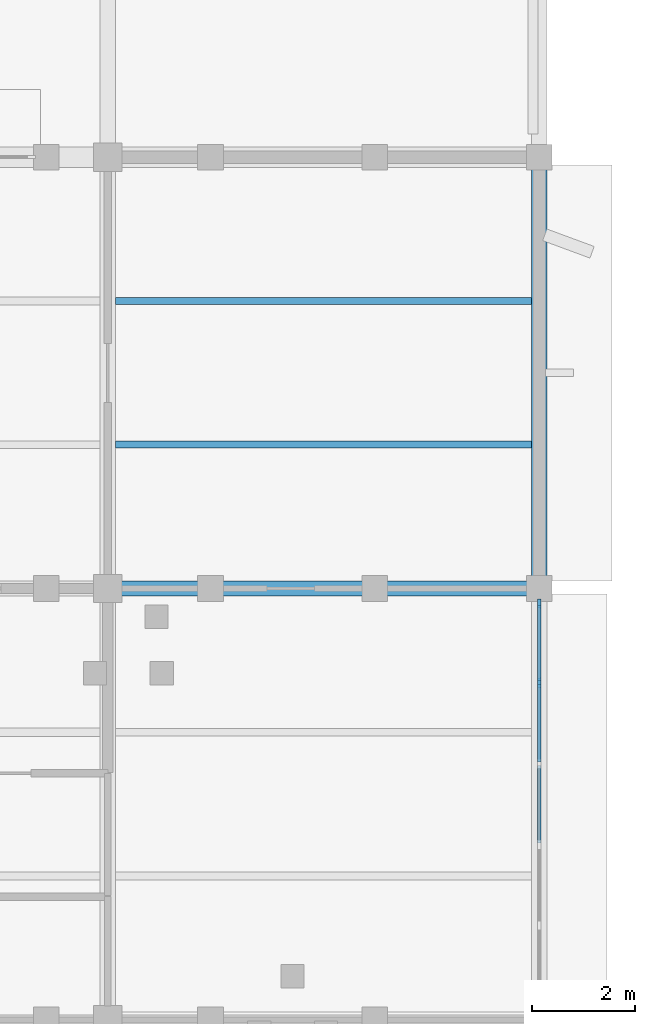
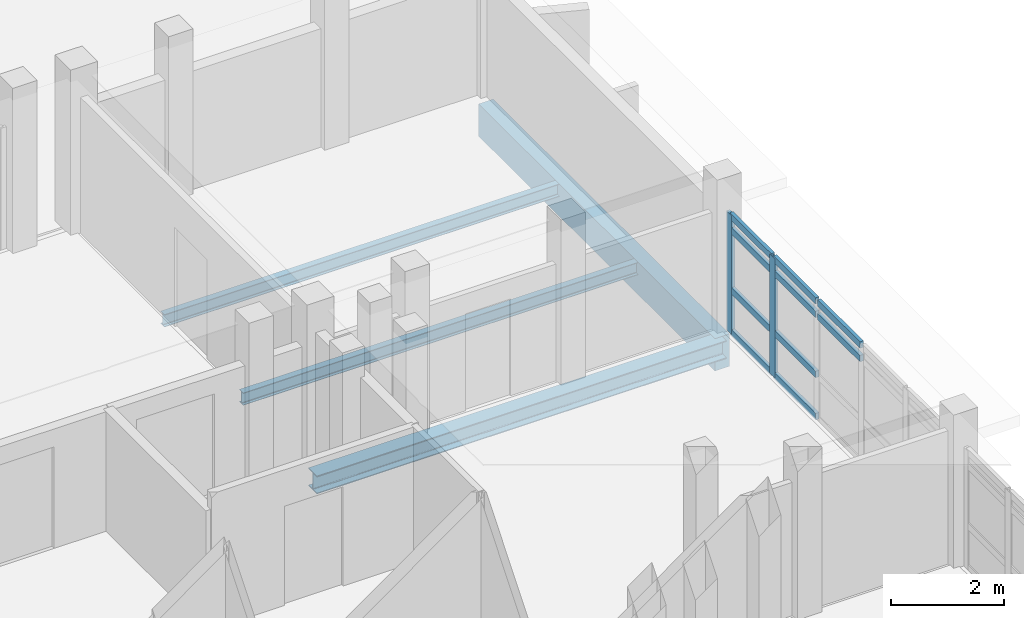
# One storey, part 39 of 92: 12 members, 4 beams, 1 element without a shape of its own.
"""IFC4 building model written with IfcOpenShell, lengths in metres."""

from ifc_helpers import new_model, si_unit, direction, frame, origin, origin_2d, place, context, subcontext, project, spatial, rectangle, i_section, extrude, material, material_profile, profile_set, type_object, element, aggregate, save


model = new_model("IFC4")

# Units and contexts
model_context = context("Model", 3, precision=1e-05, world=origin(), true_north=direction((0.0, 1.0)))
body_context = subcontext(model_context, "Body", "Model", "MODEL_VIEW")
ifc_project = project(units=[si_unit("LENGTHUNIT", "METRE"), si_unit("AREAUNIT", "SQUARE_METRE"), si_unit("VOLUMEUNIT", "CUBIC_METRE"), si_unit("PLANEANGLEUNIT", "RADIAN"), si_unit("MASSUNIT", "GRAM", prefix="KILO")], contexts=[model_context])

# Site, building, storey
site_placement = place(None, origin())
site = spatial("IfcSite", under=ifc_project, at=site_placement, CompositionType="ELEMENT")
building_placement = place(site_placement, origin())
building = spatial("IfcBuilding", under=site, at=building_placement, Name="Vanh Quang Courtyard School", CompositionType="ELEMENT")
storey_placement = place(building_placement, frame((0.0, 0.0, 7.800048828125)))
storey = spatial("IfcBuildingStorey", under=building, at=storey_placement, Name="L02", CompositionType="ELEMENT", Elevation=7.800048828125)

# Beams
ifc_material_1 = material(Name="Concrete C35/45", Category="concrete")
ifc_material_profile_1 = material_profile(ifc_material_1, rectangle(XDim=0.300048828125, YDim=0.699951171875, at=origin_2d()), Name="RC-SP 300x700")
ifc_profile_set_1 = profile_set([ifc_material_profile_1], Name="Concrete C35/45")
beam_type_1 = type_object("IfcBeamType", Name="BM-SP-300x700", PredefinedType="SPANDREL", material=ifc_profile_set_1)
beam_1_placement = place(storey_placement, frame((119.39990234375, 88.199951171875, -0.630126953125), z_axis=(0.0, 1.0, 0.0), x_axis=(-1.0, 0.0, 0.0)))
element("IfcBeam", 1, at=beam_1_placement, inside=storey, type_object=beam_type_1, Name="Beam BS-01 (L02)", PredefinedType="SPANDREL", context=body_context, shape_type="SweptSolid", body=[
    extrude(rectangle(XDim=0.300048828125, YDim=0.699951171875, at=origin_2d()), origin(), (0.0, 0.0, 1.0), 8.400146484375),
])
ifc_material_2 = material(Name="Structural steel EN 10025-2 S355J2", Category="steel")
ifc_material_profile_2 = material_profile(ifc_material_2, i_section(OverallWidth=0.300048828125, OverallDepth=0.389892578125, WebThickness=0.010986328125, FlangeThickness=0.01904296875, FilletRadius=0.027099609375, at=origin_2d()), Name="HEA 400")
ifc_profile_set_2 = profile_set([ifc_material_profile_2], Name="Structural steel EN 10025-2 S355J2")
beam_type_2 = type_object("IfcBeamType", Name="BM-STL-HEA400", PredefinedType="BEAM", material=ifc_profile_set_2)
beam_2_placement = place(storey_placement, frame((111.0, 88.199951171875, -0.47509765625), z_axis=(1.0, 0.0, 0.0), x_axis=(0.0, 1.0, 0.0)))
element("IfcBeam", 2, at=beam_2_placement, inside=storey, type_object=beam_type_2, Name="Beam SB-08 (L02)", PredefinedType="BEAM", context=body_context, shape_type="SweptSolid", body=[
    extrude(i_section(OverallWidth=0.300048828125, OverallDepth=0.389892578125, WebThickness=0.010986328125, FlangeThickness=0.01904296875, FilletRadius=0.027099609375, at=origin_2d()), origin(), (0.0, 0.0, 1.0), 8.39990234375),
])

# Curtain wall, members
ifc_material_3 = material(Name="Thermally broken aluminium unitised curtain wall", Category="aluminium")
curtain_wall_type = type_object("IfcCurtainWallType", Name="CW-SYS-19", PredefinedType="NOTDEFINED", material=ifc_material_3)
curtain_wall_placement = place(storey_placement, origin())
curtain_wall = element("IfcCurtainWall", 3, at=curtain_wall_placement, inside=storey, type_object=curtain_wall_type, Name="Curtain Wall CW-19 (L02)", PredefinedType="NOTDEFINED")
ifc_material_4 = material(Name="Anodised aluminium 6063-T6", Category="aluminium")
ifc_material_profile_3 = material_profile(ifc_material_4, rectangle(XDim=0.070068359375, YDim=0.179931640625, at=origin_2d()), Name="ALU-MUL 70x180")
ifc_profile_set_3 = profile_set([ifc_material_profile_3], Name="Anodised aluminium 6063-T6")
member_type_1 = type_object("IfcMemberType", Name="CW-MUL-70x180", PredefinedType="MULLION", material=ifc_profile_set_3)
member_1_placement = place(storey_placement, frame((119.39990234375, 87.906982421875, 0.0), z_axis=(0.0, 0.0, 1.0), x_axis=(1.0, 0.0, 0.0)))
member_1 = element("IfcMember", 4, at=member_1_placement, type_object=member_type_1, Name="CW-19 mullion 1", PredefinedType="MULLION", context=body_context, shape_type="SweptSolid", body=[
    extrude(rectangle(XDim=0.070068359375, YDim=0.179931640625, at=origin_2d()), origin(), (0.0, 0.0, 1.0), 2.579833984375),
])
member_2_placement = place(storey_placement, frame((119.39990234375, 86.365234375, 0.0), z_axis=(0.0, 0.0, 1.0), x_axis=(1.0, 0.0, 0.0)))
member_2 = element("IfcMember", 5, at=member_2_placement, type_object=member_type_1, Name="CW-19 mullion 2", PredefinedType="MULLION", context=body_context, shape_type="SweptSolid", body=[
    extrude(rectangle(XDim=0.070068359375, YDim=0.179931640625, at=origin_2d()), origin(), (0.0, 0.0, 1.0), 2.579833984375),
])
ifc_material_profile_4 = material_profile(ifc_material_4, rectangle(XDim=0.070068359375, YDim=0.139892578125, at=origin_2d()), Name="ALU-TRN 70x140")
ifc_profile_set_4 = profile_set([ifc_material_profile_4], Name="Anodised aluminium 6063-T6")
member_type_2 = type_object("IfcMemberType", Name="CW-TRN-70x140", PredefinedType="USERDEFINED", material=ifc_profile_set_4)
member_3_placement = place(storey_placement, frame((119.39990234375, 87.8720703125, 0.034912109375), z_axis=(0.0, -1.0, 0.0), x_axis=(1.0, 0.0, 0.0)))
member_3 = element("IfcMember", 6, at=member_3_placement, type_object=member_type_2, Name="CW-19 transom 1.1", ObjectType="TRANSOM", PredefinedType="USERDEFINED", context=body_context, shape_type="SweptSolid", body=[
    extrude(rectangle(XDim=0.070068359375, YDim=0.139892578125, at=origin_2d()), origin(), (0.0, 0.0, 1.0), 1.471923828125),
])
member_4_placement = place(storey_placement, frame((119.39990234375, 87.8720703125, 0.949951171875), z_axis=(0.0, -1.0, 0.0), x_axis=(1.0, 0.0, 0.0)))
member_4 = element("IfcMember", 7, at=member_4_placement, type_object=member_type_2, Name="CW-19 transom 1.2", ObjectType="TRANSOM", PredefinedType="USERDEFINED", context=body_context, shape_type="SweptSolid", body=[
    extrude(rectangle(XDim=0.070068359375, YDim=0.139892578125, at=origin_2d()), origin(), (0.0, 0.0, 1.0), 1.471923828125),
])
member_5_placement = place(storey_placement, frame((119.39990234375, 87.8720703125, 2.25), z_axis=(0.0, -1.0, 0.0), x_axis=(1.0, 0.0, 0.0)))
member_5 = element("IfcMember", 8, at=member_5_placement, type_object=member_type_2, Name="CW-19 transom 1.3", ObjectType="TRANSOM", PredefinedType="USERDEFINED", context=body_context, shape_type="SweptSolid", body=[
    extrude(rectangle(XDim=0.070068359375, YDim=0.139892578125, at=origin_2d()), origin(), (0.0, 0.0, 1.0), 1.471923828125),
])
member_6_placement = place(storey_placement, frame((119.39990234375, 87.8720703125, 2.544921875), z_axis=(0.0, -1.0, 0.0), x_axis=(1.0, 0.0, 0.0)))
member_6 = element("IfcMember", 9, at=member_6_placement, type_object=member_type_2, Name="CW-19 transom 1.4", ObjectType="TRANSOM", PredefinedType="USERDEFINED", context=body_context, shape_type="SweptSolid", body=[
    extrude(rectangle(XDim=0.070068359375, YDim=0.139892578125, at=origin_2d()), origin(), (0.0, 0.0, 1.0), 1.471923828125),
])
member_7_placement = place(storey_placement, frame((119.39990234375, 86.330078125, 0.034912109375), z_axis=(0.0, -1.0, 0.0), x_axis=(1.0, 0.0, 0.0)))
member_7 = element("IfcMember", 10, at=member_7_placement, type_object=member_type_2, Name="CW-19 transom 2.1", ObjectType="TRANSOM", PredefinedType="USERDEFINED", context=body_context, shape_type="SweptSolid", body=[
    extrude(rectangle(XDim=0.070068359375, YDim=0.139892578125, at=origin_2d()), origin(), (0.0, 0.0, 1.0), 1.506591796875),
])
member_8_placement = place(storey_placement, frame((119.39990234375, 86.330078125, 0.949951171875), z_axis=(0.0, -1.0, 0.0), x_axis=(1.0, 0.0, 0.0)))
member_8 = element("IfcMember", 11, at=member_8_placement, type_object=member_type_2, Name="CW-19 transom 2.2", ObjectType="TRANSOM", PredefinedType="USERDEFINED", context=body_context, shape_type="SweptSolid", body=[
    extrude(rectangle(XDim=0.070068359375, YDim=0.139892578125, at=origin_2d()), origin(), (0.0, 0.0, 1.0), 1.506591796875),
])
member_9_placement = place(storey_placement, frame((119.39990234375, 86.330078125, 2.25), z_axis=(0.0, -1.0, 0.0), x_axis=(1.0, 0.0, 0.0)))
member_9 = element("IfcMember", 12, at=member_9_placement, type_object=member_type_2, Name="CW-19 transom 2.3", ObjectType="TRANSOM", PredefinedType="USERDEFINED", context=body_context, shape_type="SweptSolid", body=[
    extrude(rectangle(XDim=0.070068359375, YDim=0.139892578125, at=origin_2d()), origin(), (0.0, 0.0, 1.0), 1.506591796875),
])
member_10_placement = place(storey_placement, frame((119.39990234375, 86.330078125, 2.544921875), z_axis=(0.0, -1.0, 0.0), x_axis=(1.0, 0.0, 0.0)))
member_10 = element("IfcMember", 13, at=member_10_placement, type_object=member_type_2, Name="CW-19 transom 2.4", ObjectType="TRANSOM", PredefinedType="USERDEFINED", context=body_context, shape_type="SweptSolid", body=[
    extrude(rectangle(XDim=0.070068359375, YDim=0.139892578125, at=origin_2d()), origin(), (0.0, 0.0, 1.0), 1.506591796875),
])
member_11_placement = place(storey_placement, frame((119.39990234375, 84.75341796875, 2.25), z_axis=(0.0, -1.0, 0.0), x_axis=(1.0, 0.0, 0.0)))
member_11 = element("IfcMember", 14, at=member_11_placement, type_object=member_type_2, Name="CW-19 transom 3.3", ObjectType="TRANSOM", PredefinedType="USERDEFINED", context=body_context, shape_type="SweptSolid", body=[
    extrude(rectangle(XDim=0.070068359375, YDim=0.139892578125, at=origin_2d()), origin(), (0.0, 0.0, 1.0), 1.5068359375),
])
member_12_placement = place(storey_placement, frame((119.39990234375, 84.75341796875, 2.544921875), z_axis=(0.0, -1.0, 0.0), x_axis=(1.0, 0.0, 0.0)))
member_12 = element("IfcMember", 15, at=member_12_placement, type_object=member_type_2, Name="CW-19 transom 3.4", ObjectType="TRANSOM", PredefinedType="USERDEFINED", context=body_context, shape_type="SweptSolid", body=[
    extrude(rectangle(XDim=0.070068359375, YDim=0.139892578125, at=origin_2d()), origin(), (0.0, 0.0, 1.0), 1.5068359375),
])
aggregate(curtain_wall, [member_1, member_2, member_3, member_4, member_5, member_6, member_7, member_8, member_9, member_10, member_11, member_12])

# Beams
ifc_material_profile_5 = material_profile(ifc_material_2, i_section(OverallWidth=0.135009765625, OverallDepth=0.27001953125, WebThickness=0.006591796875, FlangeThickness=0.01025390625, FilletRadius=0.014892578125, at=origin_2d()), Name="IPE 270")
ifc_profile_set_5 = profile_set([ifc_material_profile_5], Name="Structural steel EN 10025-2 S355J2")
beam_type_3 = type_object("IfcBeamType", Name="JST-STL-IPE270", PredefinedType="JOIST", material=ifc_profile_set_5)
for number, where, z_axis, x_axis, name in (
    (16, (111.14990234375, 91.0, -0.4150390625), (1.0, 0.0, 0.0), (0.0, 1.0, 0.0), "Beam SJ-03 (L02)"),
    (17, (111.14990234375, 93.800048828125, -0.4150390625), (1.0, 0.0, 0.0), (0.0, 1.0, 0.0), "Beam SJ-03 (L02)"),
):
    element("IfcBeam", number, at=place(storey_placement, frame(where, z_axis=z_axis, x_axis=x_axis)), inside=storey, type_object=beam_type_3, Name=name, PredefinedType="JOIST", context=body_context, shape_type="SweptSolid", body=[
        extrude(i_section(OverallWidth=0.135009765625, OverallDepth=0.27001953125, WebThickness=0.006591796875, FlangeThickness=0.01025390625, FilletRadius=0.014892578125, at=origin_2d()), origin(), (0.0, 0.0, 1.0), 8.10009765625),
    ])

save(model, "model.ifc")
